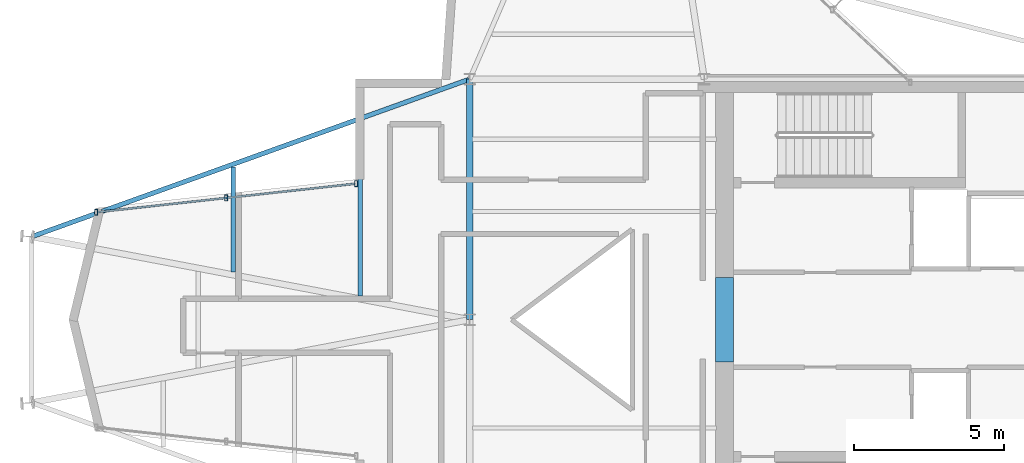
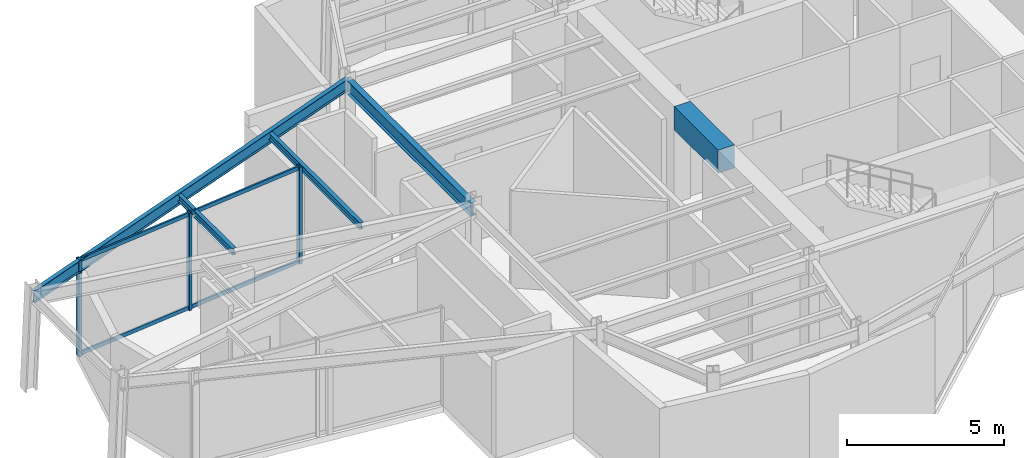
# One storey, part 4 of 11: 5 beams, 5 members, 1 element without a shape of its own.
"""IFC4 building model written with IfcOpenShell, lengths in metres."""

from ifc_helpers import new_model, si_unit, direction, frame, origin, origin_2d, place, context, subcontext, project, spatial, rectangle, hollow_rectangle, i_section, extrude, material, layer, layer_set, material_profile, profile_set, type_object, element, aggregate, save


model = new_model("IFC4")

# Units and contexts
model_context = context("Model", 3, precision=1e-05, world=origin(), true_north=direction((0.0, 1.0)))
body_context = subcontext(model_context, "Body", "Model", "MODEL_VIEW")
ifc_project = project(units=[si_unit("LENGTHUNIT", "METRE"), si_unit("AREAUNIT", "SQUARE_METRE"), si_unit("VOLUMEUNIT", "CUBIC_METRE"), si_unit("PLANEANGLEUNIT", "RADIAN"), si_unit("MASSUNIT", "GRAM", prefix="KILO")], contexts=[model_context])

# Site, building, storey
site_placement = place(None, origin())
site = spatial("IfcSite", under=ifc_project, at=site_placement, CompositionType="ELEMENT")
building_placement = place(site_placement, origin())
building = spatial("IfcBuilding", under=site, at=building_placement, Name="Veymaron Broadcast Tower", CompositionType="ELEMENT")
storey_placement = place(building_placement, frame((0.0, 0.0, 323.550048828125)))
storey = spatial("IfcBuildingStorey", under=building, at=storey_placement, Name="L76", CompositionType="ELEMENT", Elevation=323.550048828125)

# Beams
ifc_material_1 = material(Name="Concrete C60/75", Category="concrete")
ifc_material_profile_1 = material_profile(ifc_material_1, rectangle(XDim=0.60009765625, YDim=0.89990234375, at=origin_2d()), Name="RC600X900")
ifc_profile_set_1 = profile_set([ifc_material_profile_1], Name="Concrete C60/75")
beam_type_1 = type_object("IfcBeamType", Name="BM-CB2", PredefinedType="LINTEL", material=ifc_profile_set_1)
beam_1_placement = place(storey_placement, frame((39.679931640625, 22.60009765625, 3.320068359375), z_axis=(0.0, 1.0, 0.0), x_axis=(-1.0, 0.0, 0.0)))
element("IfcBeam", 1, at=beam_1_placement, inside=storey, type_object=beam_type_1, Name="L76 Core Wall west coupling beam", PredefinedType="LINTEL", context=body_context, shape_type="SweptSolid", body=[
    extrude(rectangle(XDim=0.60009765625, YDim=0.89990234375, at=origin_2d()), origin(), (0.0, 0.0, 1.0), 2.7998046875),
])
ifc_material_2 = material(Name="Structural steel ASTM A992 Gr 50", Category="steel")
ifc_material_profile_2 = material_profile(ifc_material_2, i_section(OverallWidth=0.208984375, OverallDepth=0.528076171875, WebThickness=0.009521484375, FlangeThickness=0.01318359375, at=origin_2d()), Name="W530X82")
ifc_profile_set_2 = profile_set([ifc_material_profile_2], Name="Structural steel ASTM A992 Gr 50")
beam_type_2 = type_object("IfcBeamType", Name="BM-FG4", PredefinedType="BEAM", material=ifc_profile_set_2)
beam_2_placement = place(storey_placement, frame((31.199951171875, 24.0, 3.505859375), z_axis=(0.0, 1.0, 0.0), x_axis=(-1.0, 0.0, 0.0)))
element("IfcBeam", 2, at=beam_2_placement, inside=storey, type_object=beam_type_2, Name="L76 primary structural floor girder", PredefinedType="BEAM", context=body_context, shape_type="SweptSolid", body=[
    extrude(i_section(OverallWidth=0.208984375, OverallDepth=0.528076171875, WebThickness=0.009521484375, FlangeThickness=0.01318359375, at=origin_2d()), origin(), (0.0, 0.0, 1.0), 8.0),
])
ifc_material_profile_3 = material_profile(ifc_material_2, i_section(OverallWidth=0.14599609375, OverallDepth=0.258056640625, WebThickness=0.006103515625, FlangeThickness=0.009033203125, at=origin_2d()), Name="W250X33")
ifc_profile_set_3 = profile_set([ifc_material_profile_3], Name="Structural steel ASTM A992 Gr 50")
beam_type_3 = type_object("IfcBeamType", Name="BM-JS4", PredefinedType="JOIST", material=ifc_profile_set_3)
beam_3_placement = place(storey_placement, frame((23.333251953125, 25.59033203125, 3.640869140625), z_axis=(0.0, 1.0, 0.0), x_axis=(-1.0, 0.0, 0.0)))
element("IfcBeam", 3, at=beam_3_placement, inside=storey, type_object=beam_type_3, Name="L76 Arm-A secondary joist 1N", PredefinedType="JOIST", context=body_context, shape_type="SweptSolid", body=[
    extrude(i_section(OverallWidth=0.14599609375, OverallDepth=0.258056640625, WebThickness=0.006103515625, FlangeThickness=0.009033203125, at=origin_2d()), origin(), (0.0, 0.0, 1.0), 3.47998046875),
])
beam_4_placement = place(storey_placement, frame((27.55810546875, 24.7900390625, 3.640869140625), z_axis=(0.0, 1.0, 0.0), x_axis=(-1.0, 0.0, 0.0)))
element("IfcBeam", 4, at=beam_4_placement, inside=storey, type_object=beam_type_3, Name="L76 Arm-A secondary joist 2N", PredefinedType="JOIST", context=body_context, shape_type="SweptSolid", body=[
    extrude(i_section(OverallWidth=0.14599609375, OverallDepth=0.258056640625, WebThickness=0.006103515625, FlangeThickness=0.009033203125, at=origin_2d()), origin(), (0.0, 0.0, 1.0), 5.800048828125),
])
ifc_material_profile_4 = material_profile(ifc_material_2, i_section(OverallWidth=0.154052734375, OverallDepth=0.458984375, WebThickness=0.009033203125, FlangeThickness=0.015380859375, at=origin_2d()), Name="W460X68")
ifc_profile_set_4 = profile_set([ifc_material_profile_4], Name="Structural steel ASTM A992 Gr 50")
beam_type_4 = type_object("IfcBeamType", Name="BM-SP2", PredefinedType="SPANDREL", material=ifc_profile_set_4)
beam_5_placement = place(storey_placement, frame((16.632080078125, 26.760009765625, 3.54052734375), z_axis=(0.940978846372, 0.338465375896, 0.0), x_axis=(-0.338465375896, 0.940978846372, 0.0)))
element("IfcBeam", 5, at=beam_5_placement, inside=storey, type_object=beam_type_4, Name="L76 primary structural floor girder", PredefinedType="SPANDREL", context=body_context, shape_type="SweptSolid", body=[
    extrude(i_section(OverallWidth=0.154052734375, OverallDepth=0.458984375, WebThickness=0.009033203125, FlangeThickness=0.015380859375, at=origin_2d()), origin(), (0.0, 0.0, 1.0), 15.481689453125),
])

# Curtain wall, members
ifc_material_3 = material(Name="Anodised aluminium AA 6063-T6 and laminated low-E dark glass", Category="aluminium")
ifc_layer = layer(ifc_material_3, 0.179931640625)
ifc_layer_set = layer_set([ifc_layer], Name="Anodised aluminium AA 6063-T6 and laminated low-E dark glass")
curtain_wall_type = type_object("IfcCurtainWallType", Name="CW-SYS-06", PredefinedType="NOTDEFINED", material=ifc_layer_set)
curtain_wall_placement = place(storey_placement, origin())
curtain_wall = element("IfcCurtainWall", 6, at=curtain_wall_placement, inside=storey, type_object=curtain_wall_type, Name="L76 dark-glass curtain wall CW-L76-E11-1", PredefinedType="NOTDEFINED")
ifc_material_4 = material(Name="Anodised aluminium AA 6063-T6", Category="aluminium")
ifc_material_profile_5 = material_profile(ifc_material_4, hollow_rectangle(XDim=0.10009765625, YDim=0.199951171875, WallThickness=0.010009765625, at=origin_2d()), Name="RHS200X100X10")
ifc_profile_set_5 = profile_set([ifc_material_profile_5], Name="Anodised aluminium AA 6063-T6")
member_type_1 = type_object("IfcMemberType", Name="CW-MUL-01", PredefinedType="MULLION", material=ifc_profile_set_5)
member_1_placement = place(storey_placement, frame((27.4248046875, 28.525390625, 0.0), z_axis=(0.0, 0.0, 1.0), x_axis=(1.0, 0.0, 0.0)))
member_1 = element("IfcMember", 7, at=member_1_placement, type_object=member_type_1, Name="CW-L76-E11-1 mullion 0", PredefinedType="MULLION", context=body_context, shape_type="SweptSolid", body=[
    extrude(hollow_rectangle(XDim=0.10009765625, YDim=0.199951171875, WallThickness=0.010009765625, at=origin_2d()), origin(), (0.0, 0.0, 1.0), 3.77001953125),
])
member_2_placement = place(storey_placement, frame((23.10009765625, 28.04931640625, 0.0), z_axis=(0.0, 0.0, 1.0), x_axis=(1.0, 0.0, 0.0)))
member_2 = element("IfcMember", 8, at=member_2_placement, type_object=member_type_1, Name="CW-L76-E11-1 mullion 1", PredefinedType="MULLION", context=body_context, shape_type="SweptSolid", body=[
    extrude(hollow_rectangle(XDim=0.10009765625, YDim=0.199951171875, WallThickness=0.010009765625, at=origin_2d()), origin(), (0.0, 0.0, 1.0), 3.77001953125),
])
member_3_placement = place(storey_placement, frame((18.775390625, 27.5732421875, 0.0), z_axis=(0.0, 0.0, 1.0), x_axis=(1.0, 0.0, 0.0)))
member_3 = element("IfcMember", 9, at=member_3_placement, type_object=member_type_1, Name="CW-L76-E11-1 mullion 2", PredefinedType="MULLION", context=body_context, shape_type="SweptSolid", body=[
    extrude(hollow_rectangle(XDim=0.10009765625, YDim=0.199951171875, WallThickness=0.010009765625, at=origin_2d()), origin(), (0.0, 0.0, 1.0), 3.77001953125),
])
ifc_material_profile_6 = material_profile(ifc_material_4, hollow_rectangle(XDim=0.06494140625, YDim=0.14990234375, WallThickness=0.00390625, at=origin_2d()), Name="AL150X65X4")
ifc_profile_set_6 = profile_set([ifc_material_profile_6], Name="Anodised aluminium AA 6063-T6")
member_type_2 = type_object("IfcMemberType", Name="CW-TRN-01", PredefinedType="USERDEFINED", material=ifc_profile_set_6)
member_4_placement = place(storey_placement, frame((27.375244140625, 28.52001953125, 0.070068359375), z_axis=(-0.993996394773, -0.109412829132, 0.0), x_axis=(0.109412829132, -0.993996394773, 0.0)))
member_4 = element("IfcMember", 10, at=member_4_placement, type_object=member_type_2, Name="CW-L76-E11-1 transom B", ObjectType="TRANSOM", PredefinedType="USERDEFINED", context=body_context, shape_type="SweptSolid", body=[
    extrude(hollow_rectangle(XDim=0.06494140625, YDim=0.14990234375, WallThickness=0.00390625, at=origin_2d()), origin(), (0.0, 0.0, 1.0), 8.60205078125),
])
member_5_placement = place(storey_placement, frame((27.375244140625, 28.52001953125, 3.699951171875), z_axis=(-0.993996394773, -0.109412829132, 0.0), x_axis=(0.109412829132, -0.993996394773, 0.0)))
member_5 = element("IfcMember", 11, at=member_5_placement, type_object=member_type_2, Name="CW-L76-E11-1 transom T", ObjectType="TRANSOM", PredefinedType="USERDEFINED", context=body_context, shape_type="SweptSolid", body=[
    extrude(hollow_rectangle(XDim=0.06494140625, YDim=0.14990234375, WallThickness=0.00390625, at=origin_2d()), origin(), (0.0, 0.0, 1.0), 8.60205078125),
])
aggregate(curtain_wall, [member_1, member_2, member_3, member_4, member_5])

save(model, "model.ifc")
